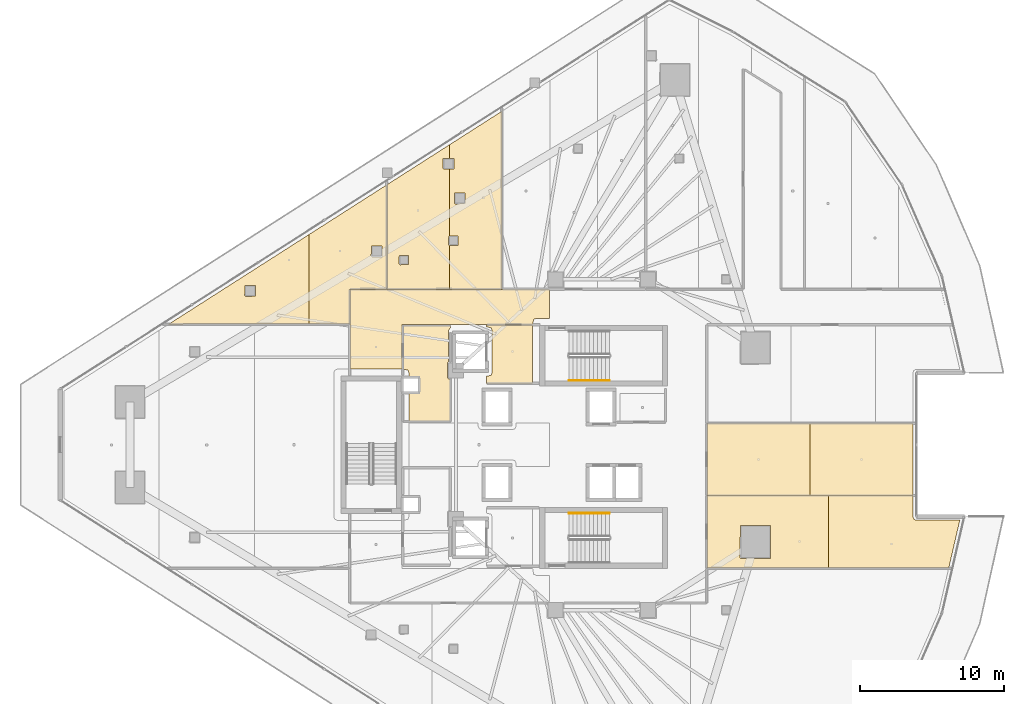
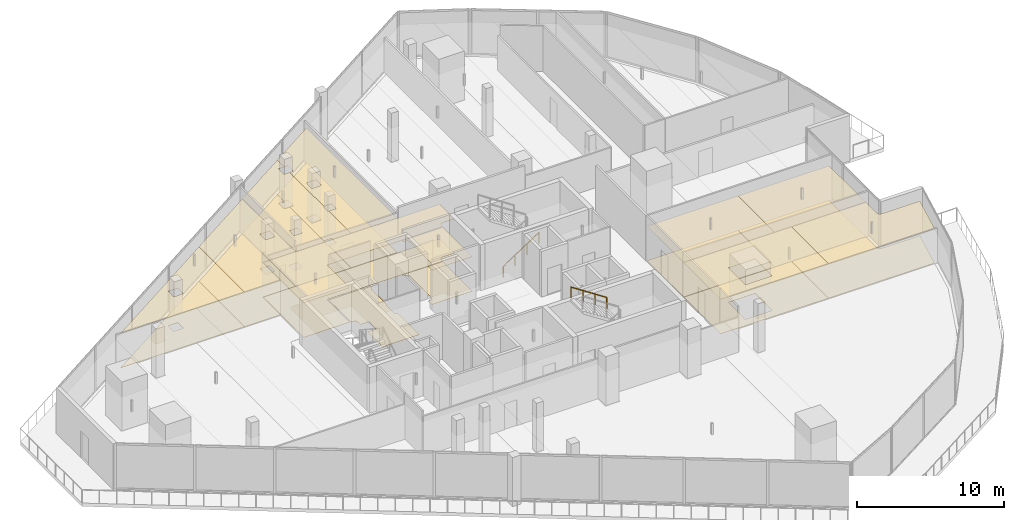
# One storey, part 33 of 35: 21 coverings, 2 railings.
"""IFC4 building model written with IfcOpenShell, lengths in metres."""

from ifc_helpers import new_model, si_unit, direction, frame, origin, origin_2d, place, context, subcontext, project, spatial, polyline, circle, outline, extrude, material, layer, layer_set, type_object, element, save


model = new_model("IFC4")

# Units and contexts
model_context = context("Model", 3, precision=1e-05, world=origin(), true_north=direction((0.0, 1.0)))
body_context = subcontext(model_context, "Body", "Model", "MODEL_VIEW")
ifc_project = project(units=[si_unit("LENGTHUNIT", "METRE"), si_unit("AREAUNIT", "SQUARE_METRE"), si_unit("VOLUMEUNIT", "CUBIC_METRE"), si_unit("PLANEANGLEUNIT", "RADIAN"), si_unit("MASSUNIT", "GRAM", prefix="KILO")], contexts=[model_context])

# Site, building, storey
site_placement = place(None, origin())
site = spatial("IfcSite", under=ifc_project, at=site_placement, CompositionType="ELEMENT")
building_placement = place(site_placement, origin())
building = spatial("IfcBuilding", under=site, at=building_placement, Name="Qorvath Tower", CompositionType="ELEMENT")
storey_placement = place(building_placement, frame((0.0, 0.0, 130.050048828125)))
storey = spatial("IfcBuildingStorey", under=building, at=storey_placement, Name="L29", CompositionType="ELEMENT", Elevation=130.050048828125)

# Coverings
ifc_material_1 = material(Name="Acoustic mineral fibre ceiling tile", Category="gypsum")
ifc_layer_1 = layer(ifc_material_1, 0.030029296875)
ifc_layer_set_1 = layer_set([ifc_layer_1], Name="COV-CEIL")
covering_type_1 = type_object("IfcCoveringType", Name="COV-CEIL", PredefinedType="CEILING", material=ifc_layer_set_1)
covering_1_placement = place(storey_placement, frame((0.0, 0.0, 2.849853515625)))
element("IfcCovering", 1, at=covering_1_placement, inside=storey, type_object=covering_type_1, Name="L29 Suspended Acoustic Ceiling 001", PredefinedType="CEILING", context=body_context, shape_type="SweptSolid", body=[
    extrude(outline(polyline([(-25.18994140625, 4.2548828125), (-25.18994140625, 8.294921875), (-28.375, 8.294921875), (-28.375, 8.159912109375), (-28.063232421875, 8.086669921875), (-27.989990234375, 7.909912109375), (-27.989990234375, 4.989990234375), (-28.063232421875, 4.813232421875), (-28.375, 4.739990234375), (-28.375, 4.2548828125), (-25.18994140625, 4.2548828125)])), origin(), (0.0, 0.0, 1.0), 0.030029296875),
])
covering_2_placement = place(storey_placement, frame((0.0, 0.0, 2.849853515625)))
element("IfcCovering", 2, at=covering_2_placement, inside=storey, type_object=covering_type_1, Name="L29 Suspended Acoustic Ceiling 007", PredefinedType="CEILING", context=body_context, shape_type="SweptSolid", body=[
    extrude(outline(polyline([(-24.02001953125, 8.75), (-24.02001953125, 10.745849609375), (-37.844970703125, 10.7451171875), (-37.844970703125, 5.239990234375), (-34.2509765625, 5.239990234375), (-34.219970703125, 8.324951171875), (-25.18994140625, 8.324951171875), (-25.11669921875, 8.6767578125), (-24.93994140625, 8.75), (-24.02001953125, 8.75)])), origin(), (0.0, 0.0, 1.0), 0.030029296875),
])
covering_3_placement = place(storey_placement, frame((0.0, 0.0, 2.849853515625)))
element("IfcCovering", 3, at=covering_3_placement, inside=storey, type_object=covering_type_1, Name="L29 Suspended Acoustic Ceiling 009", PredefinedType="CEILING", context=body_context, shape_type="SweptSolid", body=[
    extrude(outline(polyline([(-40.68505859375, 8.3515625), (-40.68505859375, 14.541748046875), (-50.389404296875, 8.339599609375), (-40.68505859375, 8.3515625)]), holes=[polyline([(-45.121337890625, 10.327392578125), (-45.103759765625, 11.019775390625), (-44.368896484375, 11.019775390625), (-44.368896484375, 10.284912109375), (-45.061279296875, 10.267333984375), (-45.121337890625, 10.327392578125)])]), origin(), (0.0, 0.0, 1.0), 0.030029296875),
])
covering_4_placement = place(storey_placement, frame((0.0, 0.0, 2.849853515625)))
element("IfcCovering", 4, at=covering_4_placement, inside=storey, type_object=covering_type_1, Name="L29 Suspended Acoustic Ceiling 010", PredefinedType="CEILING", context=body_context, shape_type="SweptSolid", body=[
    extrude(outline(polyline([(-35.303955078125, 17.98095703125), (-40.68505859375, 14.541748046875), (-40.68505859375, 8.3515625), (-37.863037109375, 8.35498046875), (-37.861572265625, 10.761474609375), (-35.303955078125, 10.762939453125), (-35.303955078125, 17.98095703125)]), holes=[polyline([(-36.36572265625, 13.055908203125), (-36.34814453125, 13.748291015625), (-35.61328125, 13.748291015625), (-35.61328125, 13.013427734375), (-36.3056640625, 12.995849609375), (-36.36572265625, 13.055908203125)])]), origin(), (0.0, 0.0, 1.0), 0.030029296875),
])
covering_5_placement = place(storey_placement, frame((0.0, 0.0, 2.849853515625)))
element("IfcCovering", 5, at=covering_5_placement, inside=storey, type_object=covering_type_1, Name="L29 Suspended Acoustic Ceiling 011", PredefinedType="CEILING", context=body_context, shape_type="SweptSolid", body=[
    extrude(outline(polyline([(-35.285888671875, 10.762939453125), (-30.950927734375, 10.762939453125), (-30.950927734375, 13.789306640625), (-31.01220703125, 13.849365234375), (-30.99462890625, 14.441650390625), (-30.950927734375, 14.441650390625), (-30.950927734375, 19.085205078125), (-31.341064453125, 19.075439453125), (-31.401123046875, 19.135498046875), (-31.383544921875, 19.827880859375), (-30.950927734375, 19.827880859375), (-30.950927734375, 20.762939453125), (-35.285888671875, 17.992431640625), (-35.285888671875, 10.762939453125)]), holes=[polyline([(-34.439208984375, 12.517578125), (-34.421630859375, 13.10986328125), (-33.786865234375, 13.10986328125), (-33.786865234375, 12.47509765625), (-34.379150390625, 12.45751953125), (-34.439208984375, 12.517578125)])]), origin(), (0.0, 0.0, 1.0), 0.030029296875),
])
covering_6_placement = place(storey_placement, frame((0.0, 0.0, 2.849853515625)))
element("IfcCovering", 6, at=covering_6_placement, inside=storey, type_object=covering_type_1, Name="L29 Suspended Acoustic Ceiling 012", PredefinedType="CEILING", context=body_context, shape_type="SweptSolid", body=[
    extrude(outline(polyline([(-30.950927734375, 20.762939453125), (-30.950927734375, 19.827880859375), (-30.648681640625, 19.827880859375), (-30.648681640625, 19.093017578125), (-30.950927734375, 19.085205078125), (-30.950927734375, 14.441650390625), (-30.35986328125, 14.441650390625), (-30.35986328125, 13.806884765625), (-30.950927734375, 13.789306640625), (-30.950927734375, 10.762939453125), (-27.327880859375, 10.762939453125), (-27.327880859375, 23.07861328125), (-30.950927734375, 20.762939453125)]), holes=[polyline([(-30.60986328125, 16.734619140625), (-30.59228515625, 17.427001953125), (-29.857421875, 17.427001953125), (-29.857421875, 16.692138671875), (-30.5498046875, 16.674560546875), (-30.60986328125, 16.734619140625)])]), origin(), (0.0, 0.0, 1.0), 0.030029296875),
])
covering_7_placement = place(storey_placement, frame((0.0, 0.0, 2.849853515625)))
element("IfcCovering", 7, at=covering_7_placement, inside=storey, type_object=covering_type_1, Name="L29 Suspended Acoustic Ceiling 025", PredefinedType="CEILING", context=body_context, shape_type="SweptSolid", body=[
    extrude(outline(polyline([(-4.697509765625, -8.537109375), (-4.697509765625, -3.515869140625), (-13.136962890625, -3.515869140625), (-13.136962890625, -8.537109375), (-4.697509765625, -8.537109375)]), holes=[polyline([(-10.830322265625, -7.8212890625), (-10.812744140625, -5.578857421875), (-8.727783203125, -5.578857421875), (-8.727783203125, -7.86376953125), (-10.770263671875, -7.88134765625), (-10.830322265625, -7.8212890625)])]), origin(), (0.0, 0.0, 1.0), 0.030029296875),
])
covering_8_placement = place(storey_placement, frame((0.0, 0.0, 2.849853515625)))
element("IfcCovering", 8, at=covering_8_placement, inside=storey, type_object=covering_type_1, Name="L29 Suspended Acoustic Ceiling 026", PredefinedType="CEILING", context=body_context, shape_type="SweptSolid", body=[
    extrude(outline(polyline([(1.22412109375, -5.163818359375), (1.13671875, -5.016845703125), (1.1318359375, -3.515869140625), (-4.697509765625, -3.515869140625), (-4.697509765625, -8.537109375), (3.612060546875, -8.537109375), (4.378173828125, -5.222900390625), (1.3623046875, -5.2216796875), (1.22412109375, -5.163818359375)])), origin(), (0.0, 0.0, 1.0), 0.030029296875),
])
covering_9_placement = place(storey_placement, frame((0.0, 0.0, 2.849853515625)))
element("IfcCovering", 9, at=covering_9_placement, inside=storey, type_object=covering_type_1, Name="L29 Suspended Acoustic Ceiling 027", PredefinedType="CEILING", context=body_context, shape_type="SweptSolid", body=[
    extrude(outline(polyline([(-13.136962890625, -3.497802734375), (-6.00244140625, -3.497802734375), (-6.00244140625, 1.47265625), (-13.136962890625, 1.47265625), (-13.136962890625, -3.497802734375)])), origin(), (0.0, 0.0, 1.0), 0.030029296875),
])
covering_10_placement = place(storey_placement, frame((0.0, 0.0, 2.849853515625)))
element("IfcCovering", 10, at=covering_10_placement, inside=storey, type_object=covering_type_1, Name="L29 Suspended Acoustic Ceiling 028", PredefinedType="CEILING", context=body_context, shape_type="SweptSolid", body=[
    extrude(outline(polyline([(-6.00244140625, 1.47265625), (-6.00244140625, -3.497802734375), (1.1318359375, -3.497802734375), (1.1318359375, 1.47265625), (-6.00244140625, 1.47265625)])), origin(), (0.0, 0.0, 1.0), 0.030029296875),
])
ifc_material_2 = material(Name="Low-VOC modular carpet tile", Category="textile")
ifc_layer_2 = layer(ifc_material_2, 0.014892578125)
ifc_layer_set_2 = layer_set([ifc_layer_2], Name="COV-FLOOR-CPT")
covering_type_2 = type_object("IfcCoveringType", Name="COV-FLOOR-CPT", PredefinedType="FLOORING", material=ifc_layer_set_2)
covering_11_placement = place(storey_placement, origin())
element("IfcCovering", 11, at=covering_11_placement, inside=storey, type_object=covering_type_2, Name="L29 Floor Finish 009", PredefinedType="FLOORING", context=body_context, shape_type="SweptSolid", body=[
    extrude(outline(polyline([(-40.68505859375, 8.3515625), (-40.68505859375, 14.541748046875), (-50.389404296875, 8.339599609375), (-40.68505859375, 8.3515625)]), holes=[polyline([(-45.121337890625, 10.327392578125), (-45.103759765625, 11.019775390625), (-44.368896484375, 11.019775390625), (-44.368896484375, 10.284912109375), (-45.061279296875, 10.267333984375), (-45.121337890625, 10.327392578125)])]), origin(), (0.0, 0.0, 1.0), 0.014892578125),
])
covering_12_placement = place(storey_placement, origin())
element("IfcCovering", 12, at=covering_12_placement, inside=storey, type_object=covering_type_2, Name="L29 Floor Finish 010", PredefinedType="FLOORING", context=body_context, shape_type="SweptSolid", body=[
    extrude(outline(polyline([(-35.303955078125, 17.98095703125), (-40.68505859375, 14.541748046875), (-40.68505859375, 8.3515625), (-37.863037109375, 8.35498046875), (-37.861572265625, 10.761474609375), (-35.303955078125, 10.762939453125), (-35.303955078125, 17.98095703125)]), holes=[polyline([(-36.36572265625, 13.055908203125), (-36.34814453125, 13.748291015625), (-35.61328125, 13.748291015625), (-35.61328125, 13.013427734375), (-36.3056640625, 12.995849609375), (-36.36572265625, 13.055908203125)])]), origin(), (0.0, 0.0, 1.0), 0.014892578125),
])
covering_13_placement = place(storey_placement, origin())
element("IfcCovering", 13, at=covering_13_placement, inside=storey, type_object=covering_type_2, Name="L29 Floor Finish 011", PredefinedType="FLOORING", context=body_context, shape_type="SweptSolid", body=[
    extrude(outline(polyline([(-35.285888671875, 10.762939453125), (-30.950927734375, 10.762939453125), (-30.950927734375, 13.789306640625), (-31.01220703125, 13.849365234375), (-30.99462890625, 14.441650390625), (-30.950927734375, 14.441650390625), (-30.950927734375, 19.085205078125), (-31.341064453125, 19.075439453125), (-31.401123046875, 19.135498046875), (-31.383544921875, 19.827880859375), (-30.950927734375, 19.827880859375), (-30.950927734375, 20.762939453125), (-35.285888671875, 17.992431640625), (-35.285888671875, 10.762939453125)]), holes=[polyline([(-34.439208984375, 12.517578125), (-34.421630859375, 13.10986328125), (-33.786865234375, 13.10986328125), (-33.786865234375, 12.47509765625), (-34.379150390625, 12.45751953125), (-34.439208984375, 12.517578125)])]), origin(), (0.0, 0.0, 1.0), 0.014892578125),
])
covering_14_placement = place(storey_placement, origin())
element("IfcCovering", 14, at=covering_14_placement, inside=storey, type_object=covering_type_2, Name="L29 Floor Finish 012", PredefinedType="FLOORING", context=body_context, shape_type="SweptSolid", body=[
    extrude(outline(polyline([(-30.950927734375, 20.762939453125), (-30.950927734375, 19.827880859375), (-30.648681640625, 19.827880859375), (-30.648681640625, 19.093017578125), (-30.950927734375, 19.085205078125), (-30.950927734375, 14.441650390625), (-30.35986328125, 14.441650390625), (-30.35986328125, 13.806884765625), (-30.950927734375, 13.789306640625), (-30.950927734375, 10.762939453125), (-27.327880859375, 10.762939453125), (-27.327880859375, 23.07861328125), (-30.950927734375, 20.762939453125)]), holes=[polyline([(-30.60986328125, 16.734619140625), (-30.59228515625, 17.427001953125), (-29.857421875, 17.427001953125), (-29.857421875, 16.692138671875), (-30.5498046875, 16.674560546875), (-30.60986328125, 16.734619140625)])]), origin(), (0.0, 0.0, 1.0), 0.014892578125),
])
covering_15_placement = place(storey_placement, origin())
element("IfcCovering", 15, at=covering_15_placement, inside=storey, type_object=covering_type_2, Name="L29 Floor Finish 025", PredefinedType="FLOORING", context=body_context, shape_type="SweptSolid", body=[
    extrude(outline(polyline([(-4.697509765625, -8.537109375), (-4.697509765625, -3.515869140625), (-13.136962890625, -3.515869140625), (-13.136962890625, -8.537109375), (-4.697509765625, -8.537109375)]), holes=[polyline([(-10.830322265625, -7.8212890625), (-10.812744140625, -5.578857421875), (-8.727783203125, -5.578857421875), (-8.727783203125, -7.86376953125), (-10.770263671875, -7.88134765625), (-10.830322265625, -7.8212890625)])]), origin(), (0.0, 0.0, 1.0), 0.014892578125),
])
covering_16_placement = place(storey_placement, origin())
element("IfcCovering", 16, at=covering_16_placement, inside=storey, type_object=covering_type_2, Name="L29 Floor Finish 026", PredefinedType="FLOORING", context=body_context, shape_type="SweptSolid", body=[
    extrude(outline(polyline([(1.22412109375, -5.163818359375), (1.13671875, -5.016845703125), (1.1318359375, -3.515869140625), (-4.697509765625, -3.515869140625), (-4.697509765625, -8.537109375), (3.612060546875, -8.537109375), (4.378173828125, -5.222900390625), (1.3623046875, -5.2216796875), (1.22412109375, -5.163818359375)])), origin(), (0.0, 0.0, 1.0), 0.014892578125),
])
covering_17_placement = place(storey_placement, origin())
element("IfcCovering", 17, at=covering_17_placement, inside=storey, type_object=covering_type_2, Name="L29 Floor Finish 027", PredefinedType="FLOORING", context=body_context, shape_type="SweptSolid", body=[
    extrude(outline(polyline([(-13.136962890625, -3.497802734375), (-6.00244140625, -3.497802734375), (-6.00244140625, 1.47265625), (-13.136962890625, 1.47265625), (-13.136962890625, -3.497802734375)])), origin(), (0.0, 0.0, 1.0), 0.014892578125),
])
covering_18_placement = place(storey_placement, origin())
element("IfcCovering", 18, at=covering_18_placement, inside=storey, type_object=covering_type_2, Name="L29 Floor Finish 028", PredefinedType="FLOORING", context=body_context, shape_type="SweptSolid", body=[
    extrude(outline(polyline([(-6.00244140625, 1.47265625), (-6.00244140625, -3.497802734375), (1.1318359375, -3.497802734375), (1.1318359375, 1.47265625), (-6.00244140625, 1.47265625)])), origin(), (0.0, 0.0, 1.0), 0.014892578125),
])
ifc_material_3 = material(Name="Polished epoxy terrazzo flooring", Category="concrete")
ifc_layer_3 = layer(ifc_material_3, 0.02001953125)
ifc_layer_set_3 = layer_set([ifc_layer_3], Name="COV-FLOOR-TRZ")
covering_type_3 = type_object("IfcCoveringType", Name="COV-FLOOR-TRZ", PredefinedType="FLOORING", material=ifc_layer_set_3)
covering_19_placement = place(storey_placement, origin())
element("IfcCovering", 19, at=covering_19_placement, inside=storey, type_object=covering_type_3, Name="L29 Floor Finish 001", PredefinedType="FLOORING", context=body_context, shape_type="SweptSolid", body=[
    extrude(outline(polyline([(-25.18994140625, 4.2548828125), (-25.18994140625, 8.294921875), (-28.375, 8.294921875), (-28.375, 8.159912109375), (-28.063232421875, 8.086669921875), (-27.989990234375, 7.909912109375), (-27.989990234375, 4.989990234375), (-28.063232421875, 4.813232421875), (-28.375, 4.739990234375), (-28.375, 4.2548828125), (-25.18994140625, 4.2548828125)])), origin(), (0.0, 0.0, 1.0), 0.014892578125),
])
covering_20_placement = place(storey_placement, origin())
element("IfcCovering", 20, at=covering_20_placement, inside=storey, type_object=covering_type_3, Name="L29 Floor Finish 004", PredefinedType="FLOORING", context=body_context, shape_type="SweptSolid", body=[
    extrude(outline(polyline([(-30.885009765625, 8.2451171875), (-34.175048828125, 8.2451171875), (-34.175048828125, 5.239990234375), (-33.833251953125, 5.166748046875), (-33.760009765625, 4.989990234375), (-33.760009765625, 4.633056640625), (-33.0869140625, 4.6279296875), (-33.08837890625, 3.638427734375), (-33.760009765625, 3.636962890625), (-33.760009765625, 1.60498046875), (-30.885009765625, 1.60498046875), (-30.885009765625, 4.56494140625), (-31.02490234375, 4.56494140625), (-31.0849609375, 4.625), (-31.0849609375, 5.675048828125), (-31.010009765625, 5.735107421875), (-31.010009765625, 7.909912109375), (-30.885009765625, 8.108154296875), (-30.885009765625, 8.2451171875)])), origin(), (0.0, 0.0, 1.0), 0.014892578125),
])
covering_21_placement = place(storey_placement, origin())
element("IfcCovering", 21, at=covering_21_placement, inside=storey, type_object=covering_type_3, Name="L29 Floor Finish 007", PredefinedType="FLOORING", context=body_context, shape_type="SweptSolid", body=[
    extrude(outline(polyline([(-24.02001953125, 8.75), (-24.02001953125, 10.745849609375), (-37.844970703125, 10.7451171875), (-37.844970703125, 5.239990234375), (-34.2509765625, 5.239990234375), (-34.219970703125, 8.324951171875), (-25.18994140625, 8.324951171875), (-25.11669921875, 8.6767578125), (-24.93994140625, 8.75), (-24.02001953125, 8.75)])), origin(), (0.0, 0.0, 1.0), 0.014892578125),
])

# Railings
ifc_material_4 = material(Name="Brushed stainless steel AISI 304", Category="steel")
railing_type = type_object("IfcRailingType", Name="RL-STR-HND", PredefinedType="HANDRAIL", material=ifc_material_4)
railing_1_placement = place(storey_placement, frame((-22.669921875, 4.449951171875, 0.18408203125)))
element("IfcRailing", 22, at=railing_1_placement, inside=storey, type_object=railing_type, Name="L29 TS1 stair handrail 1", PredefinedType="HANDRAIL", context=body_context, shape_type="SweptSolid", body=[
    extrude(circle(Radius=0.02392578125, at=origin_2d()), frame((0.0, 0.0, 0.8759765625), z_axis=(0.835575518608, 0.0, 0.549375602573), x_axis=(0.0, 1.0, 0.0)), (0.0, 0.0, 1.0), 3.350830078125),
    extrude(circle(Radius=0.02099609375, at=origin_2d()), origin(), (0.0, 0.0, 1.0), 0.851806640625),
    extrude(circle(Radius=0.02099609375, at=origin_2d()), frame((0.933349609375, 0.0, 0.613525390625)), (0.0, 0.0, 1.0), 0.851806640625),
    extrude(circle(Radius=0.02099609375, at=origin_2d()), frame((1.866455078125, 0.0, 1.227294921875)), (0.0, 0.0, 1.0), 0.851806640625),
    extrude(circle(Radius=0.02099609375, at=origin_2d()), frame((2.7998046875, 0.0, 1.8408203125)), (0.0, 0.0, 1.0), 0.851806640625),
])
railing_2_placement = place(storey_placement, frame((-19.8701171875, -4.739990234375, 2.208984375)))
element("IfcRailing", 23, at=railing_2_placement, inside=storey, type_object=railing_type, Name="L29 TS2 stair handrail 2", PredefinedType="HANDRAIL", context=body_context, shape_type="SweptSolid", body=[
    extrude(circle(Radius=0.02392578125, at=origin_2d()), frame((0.0, 0.0, 0.8759765625), z_axis=(-0.835542071712, 0.0, 0.549426470421), x_axis=(0.0, -1.0, 0.0)), (0.0, 0.0, 1.0), 3.350830078125),
    extrude(circle(Radius=0.02099609375, at=origin_2d()), origin(), (0.0, 0.0, 1.0), 0.851806640625),
    extrude(circle(Radius=0.02099609375, at=origin_2d()), frame((-0.933349609375, 0.0, 0.61376953125)), (0.0, 0.0, 1.0), 0.851806640625),
    extrude(circle(Radius=0.02099609375, at=origin_2d()), frame((-1.866455078125, 0.0, 1.227294921875)), (0.0, 0.0, 1.0), 0.851806640625),
    extrude(circle(Radius=0.02099609375, at=origin_2d()), frame((-2.7998046875, 0.0, 1.841064453125)), (0.0, 0.0, 1.0), 0.851806640625),
])

save(model, "model.ifc")
